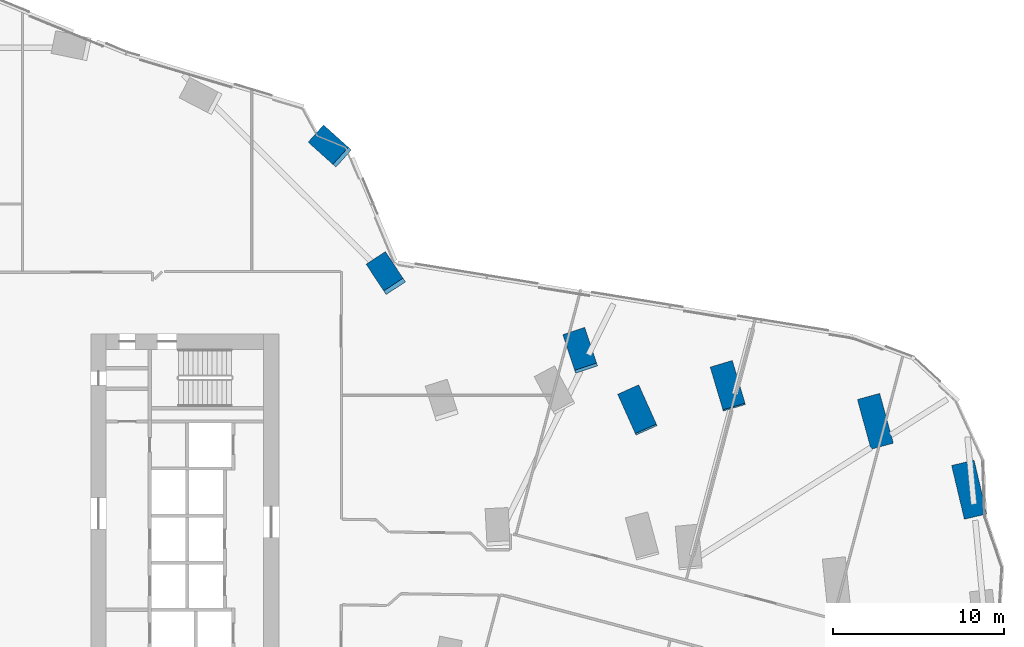
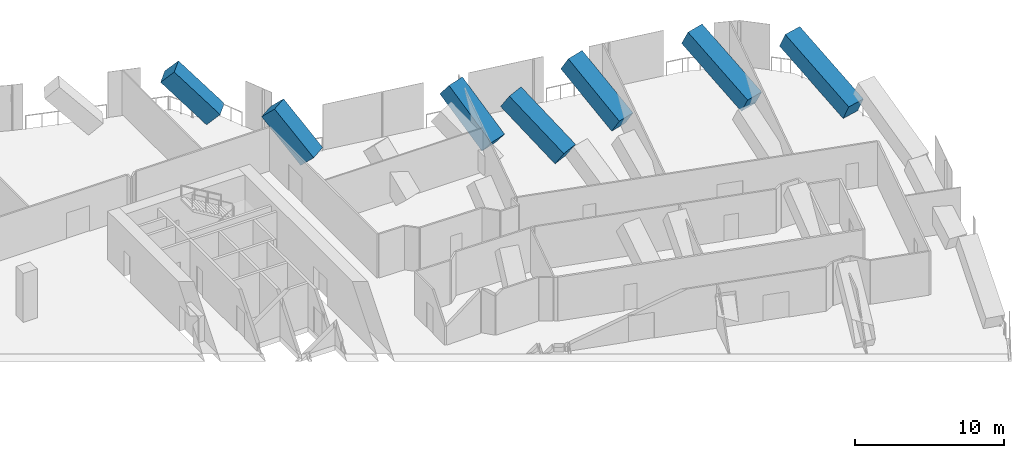
# One storey, part 2 of 37: 7 columns.
"""IFC4 building model written with IfcOpenShell, lengths in metres."""

from ifc_helpers import new_model, si_unit, direction, frame, origin, origin_2d, place, context, subcontext, project, spatial, rectangle, extrude, material, material_profile, profile_set, type_object, element, save


model = new_model("IFC4")

# Units and contexts
model_context = context("Model", 3, precision=1e-05, world=origin(), true_north=direction((0.0, 1.0)))
body_context = subcontext(model_context, "Body", "Model", "MODEL_VIEW")
ifc_project = project(units=[si_unit("LENGTHUNIT", "METRE"), si_unit("AREAUNIT", "SQUARE_METRE"), si_unit("VOLUMEUNIT", "CUBIC_METRE"), si_unit("PLANEANGLEUNIT", "RADIAN"), si_unit("MASSUNIT", "GRAM", prefix="KILO")], contexts=[model_context])

# Site, building, storey
site_placement = place(None, origin())
site = spatial("IfcSite", under=ifc_project, at=site_placement, CompositionType="ELEMENT")
building_placement = place(site_placement, origin())
building = spatial("IfcBuilding", under=site, at=building_placement, Name="Orlundy Tower", CompositionType="ELEMENT")
storey_placement = place(building_placement, frame((0.0, 0.0, 119.699951171875)))
storey = spatial("IfcBuildingStorey", under=building, at=storey_placement, Name="L30", CompositionType="ELEMENT", Elevation=119.699951171875)

# Columns
ifc_material = material(Name="Concrete C80/95", Category="concrete")
ifc_material_profile = material_profile(ifc_material, rectangle(XDim=1.35009765625, YDim=1.35009765625, at=origin_2d()), Name="RC1350X1350")
ifc_profile_set = profile_set([ifc_material_profile], Name="Concrete C80/95")
column_type = type_object("IfcColumnType", Name="RC COLUMN RC1350X1350 C80/95", PredefinedType="COLUMN", material=ifc_profile_set)
column_1_placement = place(storey_placement, frame((36.866943359375, 10.304931640625, 0.533447265625), z_axis=(-0.250197020719, 0.749775257727, 0.61256715038), x_axis=(-0.94858003582, -0.316537384275, 0.0)))
element("IfcColumn", 1, at=column_1_placement, inside=storey, type_object=column_type, Name="Column C-A5-1 L30 strut", PredefinedType="COLUMN", context=body_context, shape_type="SweptSolid", body=[
    extrude(rectangle(XDim=1.35009765625, YDim=1.35009765625, at=origin_2d()), origin(), (0.0, 0.0, 1.0), 4.788330078125),
])
column_2_placement = place(storey_placement, frame((45.534912109375, 8.010009765625, 0.57763671875), z_axis=(-0.244240111636, 0.820186799174, 0.517339716558), x_axis=(-0.958408331569, -0.285400543061, 0.0)))
element("IfcColumn", 2, at=column_2_placement, inside=storey, type_object=column_type, Name="Column C-A5-2 L30 strut", PredefinedType="COLUMN", context=body_context, shape_type="SweptSolid", body=[
    extrude(rectangle(XDim=1.35009765625, YDim=1.35009765625, at=origin_2d()), origin(), (0.0, 0.0, 1.0), 5.498779296875),
])
column_3_placement = place(storey_placement, frame((54.202880859375, 5.714111328125, 0.604736328125), z_axis=(-0.236905885144, 0.86396396315, 0.444344316901), x_axis=(-0.964400394213, -0.264446364396, 0.0)))
element("IfcColumn", 3, at=column_3_placement, inside=storey, type_object=column_type, Name="Column C-A5-3 L30 strut", PredefinedType="COLUMN", context=body_context, shape_type="SweptSolid", body=[
    extrude(rectangle(XDim=1.35009765625, YDim=1.35009765625, at=origin_2d()), origin(), (0.0, 0.0, 1.0), 6.280029296875),
])
column_4_placement = place(storey_placement, frame((59.68310546875, 1.56591796875, 0.61669921875), z_axis=(-0.210720596, 0.888867577098, 0.40683075204), x_axis=(-0.973031331212, -0.230672990356, 0.0)))
element("IfcColumn", 4, at=column_4_placement, inside=storey, type_object=column_type, Name="Column C-A5-5 L30 strut", PredefinedType="COLUMN", context=body_context, shape_type="SweptSolid", body=[
    extrude(rectangle(XDim=1.35009765625, YDim=1.35009765625, at=origin_2d()), origin(), (0.0, 0.0, 1.0), 6.801025390625),
])
column_5_placement = place(storey_placement, frame((40.35009765625, 6.68603515625, 0.570068359375), z_axis=(-0.345725067962, 0.770265205002, 0.535878429633), x_axis=(-0.912317452606, -0.40948365739, 0.0)))
element("IfcColumn", 5, at=column_5_placement, inside=storey, type_object=column_type, Name="Column C-A5-6 L30 strut", PredefinedType="COLUMN", context=body_context, shape_type="SweptSolid", body=[
    extrude(rectangle(XDim=1.35009765625, YDim=1.35009765625, at=origin_2d()), origin(), (0.0, 0.0, 1.0), 5.337158203125),
])
column_6_placement = place(storey_placement, frame((22.43603515625, 22.56689453125, 0.486328125), z_axis=(-0.535508605584, 0.48216463464, 0.693359790043), x_axis=(-0.669123341136, -0.743151367049, 0.0)))
element("IfcColumn", 6, at=column_6_placement, inside=storey, type_object=column_type, Name="Column C-H01 L30 strut", PredefinedType="COLUMN", context=body_context, shape_type="SweptSolid", body=[
    extrude(rectangle(XDim=1.35009765625, YDim=1.35009765625, at=origin_2d()), origin(), (0.0, 0.0, 1.0), 4.3662109375),
])
column_7_placement = place(storey_placement, frame((25.56494140625, 15.075927734375, 0.466552734375), z_axis=(-0.380287859943, 0.57724832469, 0.722610209742), x_axis=(-0.835072028085, -0.550140625577, 0.0)))
element("IfcColumn", 7, at=column_7_placement, inside=storey, type_object=column_type, Name="Column C-H02 L30 strut", PredefinedType="COLUMN", context=body_context, shape_type="SweptSolid", body=[
    extrude(rectangle(XDim=1.35009765625, YDim=1.35009765625, at=origin_2d()), origin(), (0.0, 0.0, 1.0), 4.244140625),
])

save(model, "model.ifc")
